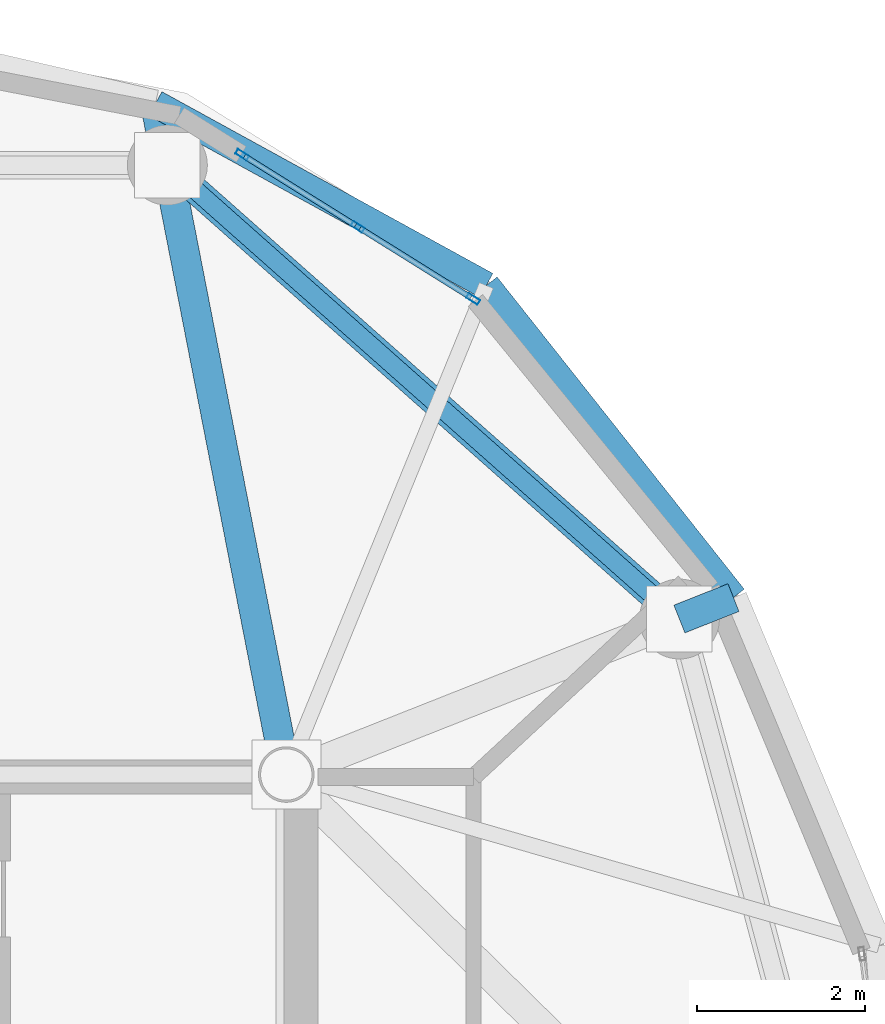
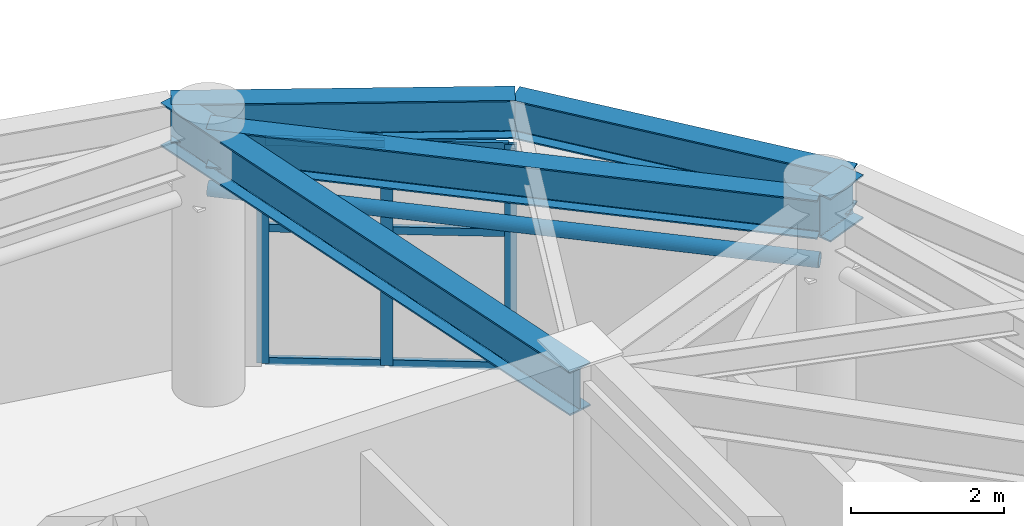
# One storey, part 11 of 26: 10 members, 5 beams, 1 element without a shape of its own.
"""IFC4 building model written with IfcOpenShell, lengths in metres."""

import ifcopenshell
import ifcopenshell.guid

model = None  # the IFC model being written
_history = None  # IfcOwnerHistory: only IFC2X3 demands one
_inside = {}  # id of a spatial element -> (the spatial element, [elements in it])
_under = {}  # id of a project, library or spatial element -> (it, [spatial elements below it])
_declared = {}  # id of a project -> (the project, [libraries it declares])
_typed = {}  # id of a type object -> (the type object, [elements of that type])
_made_of = {}  # id of a material, layer set ... -> (it, [elements and type objects made of it])


def new_model(schema):
    """Start an empty IFC model of exactly this schema.

    Asked for "IFC4X3", IfcOpenShell would pick the latest addendum, in which some entities
    have other attributes; the version numbers below select the first issue.
    IFC2X3 requires an IfcOwnerHistory on every rooted entity: one is made here for all.
    """
    global model, _history
    if schema == "IFC4X3":
        model = ifcopenshell.file(schema_version=(4, 3, 0, 0))
    else:
        model = ifcopenshell.file(schema=schema)
    _inside.clear()
    _under.clear()
    _declared.clear()
    _typed.clear()
    _made_of.clear()
    _history = None
    if model.schema == "IFC2X3":
        org = make("IfcOrganization", Name="unknown")
        user = make(
            "IfcPersonAndOrganization",
            ThePerson=make("IfcPerson", FamilyName="unknown"),
            TheOrganization=org,
        )
        app = make(
            "IfcApplication",
            ApplicationDeveloper=org,
            Version="unknown",
            ApplicationFullName="unknown",
            ApplicationIdentifier="unknown",
        )
        _history = make(
            "IfcOwnerHistory",
            OwningUser=user,
            OwningApplication=app,
            ChangeAction="ADDED",
            CreationDate=0,
        )
    return model


def make(cls, **values):
    """One entity of the class cls with the attributes given. An attribute that is None is left unset."""
    return model.create_entity(
        cls, **{name: value for name, value in values.items() if value is not None}
    )


def rooted(cls, **values):
    """An entity with a GlobalId (a new one), such as an element, a storey or a relation."""
    return make(cls, GlobalId=ifcopenshell.guid.new(), OwnerHistory=_history, **values)


def si_unit(unit_type, name, prefix=None):
    """IfcSIUnit, for example si_unit("LENGTHUNIT", "METRE", prefix="MILLI")."""
    return make("IfcSIUnit", UnitType=unit_type, Prefix=prefix, Name=name)


def assignment(units):
    """IfcUnitAssignment: the units of a project."""
    return None if units is None else make("IfcUnitAssignment", Units=units)


def point(xyz):
    """IfcCartesianPoint."""
    return None if xyz is None else make("IfcCartesianPoint", Coordinates=xyz)


def direction(xyz):
    """IfcDirection."""
    return None if xyz is None else make("IfcDirection", DirectionRatios=xyz)


def frame(location, z_axis=None, x_axis=None):
    """IfcAxis2Placement3D, a coordinate frame: its origin and axes. An axis left out is left unset."""
    return make(
        "IfcAxis2Placement3D",
        Location=point(location),
        Axis=direction(z_axis),
        RefDirection=direction(x_axis),
    )


def frame_2d(location, x_axis=None):
    """IfcAxis2Placement2D, a coordinate frame in the plane: its origin and x axis."""
    return make(
        "IfcAxis2Placement2D", Location=point(location), RefDirection=direction(x_axis)
    )


def origin():
    """The frame at (0, 0, 0) with its axes left unset."""
    return frame((0.0, 0.0, 0.0))


def origin_2d():
    """The frame at (0, 0) in the plane with its x axis left unset."""
    return frame_2d((0.0, 0.0))


def place(relative_to, where):
    """IfcLocalPlacement: puts the frame where relative to a parent placement (None: the world)."""
    return make(
        "IfcLocalPlacement", PlacementRelTo=relative_to, RelativePlacement=where
    )


def context(
    kind, dimensions, precision=None, world=None, true_north=None, identifier=None
):
    """IfcGeometricRepresentationContext, for example the 3D "Model" context."""
    return make(
        "IfcGeometricRepresentationContext",
        ContextIdentifier=identifier,
        ContextType=kind,
        CoordinateSpaceDimension=dimensions,
        Precision=precision,
        WorldCoordinateSystem=world,
        TrueNorth=true_north,
    )


def subcontext(parent, identifier, kind, view, scale=None):
    """IfcGeometricRepresentationSubContext, for example "Body" below "Model"."""
    return make(
        "IfcGeometricRepresentationSubContext",
        ContextIdentifier=identifier,
        ContextType=kind,
        ParentContext=parent,
        TargetScale=scale,
        TargetView=view,
    )


def project(units=None, contexts=None):
    """IfcProject with its units and contexts."""
    return rooted(
        "IfcProject",
        Name="project",
        RepresentationContexts=contexts,
        UnitsInContext=assignment(units),
    )


def spatial(cls, under=None, at=None, **own):
    """A site, building, storey or space (cls), placed at a placement, below another one or the project."""
    s = rooted(cls, ObjectPlacement=at, **own)
    if under is not None:
        _under.setdefault(under.id(), (under, []))[1].append(s)
    return s


def profile(cls, at=None, kind="AREA", **sizes):
    """A parametric profile (cls). Its sizes go by their IFC names, for example OverallWidth=200.0."""
    return make(cls, ProfileType=kind, Position=at, **sizes)


def hollow_rectangle(**sizes):
    """IfcRectangleHollowProfileDef."""
    return profile("IfcRectangleHollowProfileDef", **sizes)


def hollow_circle(**sizes):
    """IfcCircleHollowProfileDef."""
    return profile("IfcCircleHollowProfileDef", **sizes)


def i_section(**sizes):
    """IfcIShapeProfileDef."""
    return profile("IfcIShapeProfileDef", **sizes)


def extrude(swept, where, along, depth):
    """IfcExtrudedAreaSolid: the profile swept, set in the frame where, extruded along a direction by depth."""
    return make(
        "IfcExtrudedAreaSolid",
        SweptArea=swept,
        Position=where,
        ExtrudedDirection=direction(along),
        Depth=depth,
    )


def shape(context_of_items, identifier, shape_type, items):
    """IfcShapeRepresentation: the items that make up one representation, for example the "Body"."""
    return make(
        "IfcShapeRepresentation",
        ContextOfItems=context_of_items,
        RepresentationIdentifier=identifier,
        RepresentationType=shape_type,
        Items=items,
    )


def material(Name=None, Category=None):
    """IfcMaterial."""
    return make("IfcMaterial", Name=Name, Category=Category)


def layer(
    of_material, thickness, ventilated=None, Name=None, Category=None, Priority=None
):
    """IfcMaterialLayer: one layer of a wall or slab, of a material (None: an air gap)."""
    return make(
        "IfcMaterialLayer",
        Material=of_material,
        LayerThickness=thickness,
        IsVentilated=ventilated,
        Name=Name,
        Category=Category,
        Priority=Priority,
    )


def layer_set(layers, Name=None):
    """IfcMaterialLayerSet."""
    return make("IfcMaterialLayerSet", MaterialLayers=layers, LayerSetName=Name)


def material_profile(
    of_material, cross_section, Name=None, Category=None, Priority=None
):
    """IfcMaterialProfile: a cross section and its material."""
    return make(
        "IfcMaterialProfile",
        Name=Name,
        Material=of_material,
        Profile=cross_section,
        Priority=Priority,
        Category=Category,
    )


def profile_set(profiles, Name=None, composite=None):
    """IfcMaterialProfileSet."""
    return make(
        "IfcMaterialProfileSet",
        Name=Name,
        MaterialProfiles=profiles,
        CompositeProfile=composite,
    )


def made_of(thing, what):
    """Note that an element or type object is made of a material, layer set ...; save() writes the relation."""
    if what is not None:
        _made_of.setdefault(what.id(), (what, []))[1].append(thing)
    return thing


def type_object(cls, material=None, **own):
    """A type object (cls), such as IfcWallType, which elements share."""
    return made_of(rooted(cls, **own), material)


def element(
    cls,
    number,
    at=None,
    inside=None,
    cuts=None,
    type_object=None,
    material=None,
    context=None,
    identifier="Body",
    shape_type=None,
    held_by="IfcProductDefinitionShape",
    body=None,
    shapes=None,
    **own,
):
    """One element of the class cls, such as IfcWall. Its Tag is "e" and its number.

    at: its placement. inside: the storey or other place that contains it. cuts: it is an
    opening in that element (IfcRelVoidsElement). A single representation is given by context,
    identifier, shape_type and body (its items); several are given by shapes. held_by: the class
    of the entity that holds the representations. save() writes the other relations.
    """
    e = rooted(cls, Tag="e%d" % number, ObjectPlacement=at, **own)
    if body is not None:
        shapes = [shape(context, identifier, shape_type, body)]
    if shapes is not None:
        e.Representation = make(held_by, Representations=shapes)
    if inside is not None:
        _inside.setdefault(inside.id(), (inside, []))[1].append(e)
    if cuts is not None:
        rooted(
            "IfcRelVoidsElement", RelatingBuildingElement=cuts, RelatedOpeningElement=e
        )
    if type_object is not None:
        _typed.setdefault(type_object.id(), (type_object, []))[1].append(e)
    return made_of(e, material)


def aggregate(whole, parts):
    """IfcRelAggregates: a whole, such as a stair, and the parts it consists of."""
    return rooted("IfcRelAggregates", RelatingObject=whole, RelatedObjects=parts)


def save(model, path):
    """Write the relations noted so far, then the file.

    IfcRelAggregates (storeys below a building ...), IfcRelContainedInSpatialStructure (elements
    in a storey), IfcRelDefinesByType, IfcRelAssociatesMaterial and IfcRelDeclares: one each for
    every whole, place, type object, material and project.
    """
    for whole, parts in _under.values():
        aggregate(whole, parts)
    for where, things in _inside.values():
        rooted(
            "IfcRelContainedInSpatialStructure",
            RelatedElements=things,
            RelatingStructure=where,
        )
    for kind, things in _typed.values():
        rooted("IfcRelDefinesByType", RelatedObjects=things, RelatingType=kind)
    for what, things in _made_of.values():
        rooted("IfcRelAssociatesMaterial", RelatedObjects=things, RelatingMaterial=what)
    for by, libraries in _declared.values():
        rooted("IfcRelDeclares", RelatingContext=by, RelatedDefinitions=libraries)
    model.write(path)


model = new_model("IFC4")

# Units and contexts
model_context = context("Model", 3, precision=1e-05, world=origin(), true_north=direction((0.0, 1.0)))
body_context = subcontext(model_context, "Body", "Model", "MODEL_VIEW")
ifc_project = project(units=[si_unit("LENGTHUNIT", "METRE"), si_unit("AREAUNIT", "SQUARE_METRE"), si_unit("VOLUMEUNIT", "CUBIC_METRE"), si_unit("PLANEANGLEUNIT", "RADIAN"), si_unit("MASSUNIT", "GRAM", prefix="KILO")], contexts=[model_context])

# Site, building, storey
site_placement = place(None, origin())
site = spatial("IfcSite", under=ifc_project, at=site_placement, CompositionType="ELEMENT")
building_placement = place(site_placement, origin())
building = spatial("IfcBuilding", under=site, at=building_placement, Name="Cununo Teusaquillo Station Towers", CompositionType="ELEMENT")
storey_placement = place(building_placement, frame((0.0, 0.0, 240.330078125)))
storey = spatial("IfcBuildingStorey", under=building, at=storey_placement, Name="L76", CompositionType="ELEMENT", Elevation=240.330078125)

# Beams
ifc_material_1 = material(Name="Steel ASTM A572 Grade 50", Category="steel")
ifc_material_profile_1 = material_profile(ifc_material_1, i_section(OverallWidth=0.35498046875, OverallDepth=0.696044921875, WebThickness=0.015380859375, FlangeThickness=0.02490234375, FilletRadius=0.01806640625, at=origin_2d()), Name="W27X146")
ifc_profile_set_1 = profile_set([ifc_material_profile_1], Name="Steel ASTM A572 Grade 50")
beam_type_1 = type_object("IfcBeamType", Name="BM-PLNT-G1", PredefinedType="BEAM", material=ifc_profile_set_1)
beam_1_placement = place(storey_placement, frame((26.347412109375, 33.228515625, 3.851806640625), z_axis=(0.929761307449, 0.368162886738, 0.0), x_axis=(-0.368162886738, 0.929761307449, 0.0)))
element("IfcBeam", 1, at=beam_1_placement, inside=storey, type_object=beam_type_1, Name="L76 Tower A Perimeter Overhang Girder 02B", PredefinedType="BEAM", context=body_context, shape_type="SweptSolid", body=[
    extrude(i_section(OverallWidth=0.35498046875, OverallDepth=0.696044921875, WebThickness=0.015380859375, FlangeThickness=0.02490234375, FilletRadius=0.01806640625, at=origin_2d()), origin(), (0.0, 0.0, 1.0), 0.691650390625),
])
beam_2_placement = place(storey_placement, frame((21.675048828125, 31.3798828125, 3.851806640625), z_axis=(-0.191548487699, 0.981483151593, 0.0), x_axis=(-0.981483151593, -0.191548487699, 0.0)))
element("IfcBeam", 2, at=beam_2_placement, inside=storey, type_object=beam_type_1, Name="L76 Tower A Continuous Overhanging Radial Girder 03", PredefinedType="BEAM", context=body_context, shape_type="SweptSolid", body=[
    extrude(i_section(OverallWidth=0.35498046875, OverallDepth=0.696044921875, WebThickness=0.015380859375, FlangeThickness=0.02490234375, FilletRadius=0.01806640625, at=origin_2d()), origin(), (0.0, 0.0, 1.0), 8.1240234375),
])
ifc_material_2 = material(Name="Steel ASTM A572 Grade 50", Category="steel")
ifc_material_profile_2 = material_profile(ifc_material_2, i_section(OverallWidth=0.324951171875, OverallDepth=0.615966796875, WebThickness=0.013916015625, FlangeThickness=0.021484375, FilletRadius=0.01611328125, at=origin_2d()), Name="W24X117")
ifc_profile_set_2 = profile_set([ifc_material_profile_2], Name="Steel ASTM A572 Grade 50")
beam_type_2 = type_object("IfcBeamType", Name="BM-PLNT-G2", PredefinedType="BEAM", material=ifc_profile_set_2)
beam_3_placement = place(storey_placement, frame((26.347412109375, 33.228515625, 3.891845703125), z_axis=(-0.74832120039, 0.66333655187, 0.0), x_axis=(-0.66333655187, -0.74832120039, 0.0)))
element("IfcBeam", 3, at=beam_3_placement, inside=storey, type_object=beam_type_2, Name="L76 Tower A Structural Column Ring Girder 02", PredefinedType="BEAM", context=body_context, shape_type="SweptSolid", body=[
    extrude(i_section(OverallWidth=0.324951171875, OverallDepth=0.615966796875, WebThickness=0.013916015625, FlangeThickness=0.021484375, FilletRadius=0.01611328125, at=origin_2d()), origin(), (0.0, 0.0, 1.0), 8.1328125),
])
beam_4_placement = place(storey_placement, frame((26.990478515625, 33.483154296875, 3.891845703125), z_axis=(-0.620710872531, 0.784039547932, 0.0), x_axis=(-0.784039547932, -0.620710872531, 0.0)))
element("IfcBeam", 4, at=beam_4_placement, inside=storey, type_object=beam_type_2, Name="L76 Tower A Spandrel Ring Beam 03", PredefinedType="BEAM", context=body_context, shape_type="SweptSolid", body=[
    extrude(i_section(OverallWidth=0.324951171875, OverallDepth=0.615966796875, WebThickness=0.013916015625, FlangeThickness=0.021484375, FilletRadius=0.01611328125, at=origin_2d()), origin(), (0.0, 0.0, 1.0), 4.732421875),
])
beam_5_placement = place(storey_placement, frame((24.052978515625, 37.193603515625, 3.891845703125), z_axis=(-0.876576300909, 0.481262910149, 0.0), x_axis=(-0.481262910149, -0.876576300909, 0.0)))
element("IfcBeam", 5, at=beam_5_placement, inside=storey, type_object=beam_type_2, Name="L76 Tower A Spandrel Ring Beam 04", PredefinedType="BEAM", context=body_context, shape_type="SweptSolid", body=[
    extrude(i_section(OverallWidth=0.324951171875, OverallDepth=0.615966796875, WebThickness=0.013916015625, FlangeThickness=0.021484375, FilletRadius=0.01611328125, at=origin_2d()), origin(), (0.0, 0.0, 1.0), 4.488037109375),
])

# Curtain wall, members
ifc_material_3 = material(Name="Ceramic-fritted dark low-E double glazing", Category="glass")
ifc_layer = layer(ifc_material_3, 0.179931640625)
ifc_layer_set = layer_set([ifc_layer], Name="Ceramic-fritted dark low-E double glazing")
curtain_wall_type = type_object("IfcCurtainWallType", Name="CW-SYS-08", PredefinedType="USERDEFINED", material=ifc_layer_set)
curtain_wall_placement = place(storey_placement, origin())
curtain_wall = element("IfcCurtainWall", 6, at=curtain_wall_placement, inside=storey, type_object=curtain_wall_type, Name="L76 Tower A Crown Drum Glazed Screen C03", ObjectType="FRITTED GLAZING", PredefinedType="USERDEFINED")
ifc_material_4 = material(Name="Anodised dark bronze aluminium EN AW-6063-T6", Category="aluminium")
ifc_material_profile_3 = material_profile(ifc_material_4, hollow_rectangle(XDim=0.06494140625, YDim=0.159912109375, WallThickness=0.00390625, at=origin_2d()), Name="CW-MULL-65x160")
ifc_profile_set_3 = profile_set([ifc_material_profile_3], Name="Anodised dark bronze aluminium EN AW-6063-T6")
member_type_1 = type_object("IfcMemberType", Name="CWM-160", PredefinedType="MULLION", material=ifc_profile_set_3)
member_1_placement = place(storey_placement, frame((21.151611328125, 38.74560546875, 0.0), z_axis=(0.0, 0.0, 1.0), x_axis=(0.529451366729, 0.848340291551, 0.0)))
member_1 = element("IfcMember", 7, at=member_1_placement, type_object=member_type_1, Name="CW-08 mullion 1", PredefinedType="MULLION", context=body_context, shape_type="SweptSolid", body=[
    extrude(hollow_rectangle(XDim=0.06494140625, YDim=0.159912109375, WallThickness=0.00390625, at=origin_2d()), origin(), (0.0, 0.0, 1.0), 3.555908203125),
])
member_2_placement = place(storey_placement, frame((22.52392578125, 37.88916015625, 0.0), z_axis=(0.0, 0.0, 1.0), x_axis=(0.529451366729, 0.848340291551, 0.0)))
member_2 = element("IfcMember", 8, at=member_2_placement, type_object=member_type_1, Name="CW-08 mullion 2", PredefinedType="MULLION", context=body_context, shape_type="SweptSolid", body=[
    extrude(hollow_rectangle(XDim=0.06494140625, YDim=0.159912109375, WallThickness=0.00390625, at=origin_2d()), origin(), (0.0, 0.0, 1.0), 3.555908203125),
])
member_3_placement = place(storey_placement, frame((23.896240234375, 37.03271484375, 0.0), z_axis=(0.0, 0.0, 1.0), x_axis=(0.529451366729, 0.848340291551, 0.0)))
member_3 = element("IfcMember", 9, at=member_3_placement, type_object=member_type_1, Name="CW-08 mullion 3", PredefinedType="MULLION", context=body_context, shape_type="SweptSolid", body=[
    extrude(hollow_rectangle(XDim=0.06494140625, YDim=0.159912109375, WallThickness=0.00390625, at=origin_2d()), origin(), (0.0, 0.0, 1.0), 3.555908203125),
])
ifc_material_5 = material(Name="Anodised dark bronze aluminium EN AW-6063-T6", Category="aluminium")
ifc_material_profile_4 = material_profile(ifc_material_5, hollow_rectangle(XDim=0.06494140625, YDim=0.1201171875, WallThickness=0.00390625, at=origin_2d()), Name="CW-TRAN-65x120")
ifc_profile_set_4 = profile_set([ifc_material_profile_4], Name="Anodised dark bronze aluminium EN AW-6063-T6")
member_type_2 = type_object("IfcMemberType", Name="CWT-120", PredefinedType="USERDEFINED", material=ifc_profile_set_4)
member_4_placement = place(storey_placement, frame((21.17919921875, 38.728271484375, 0.032470703125), z_axis=(0.848342652785, -0.529447583304, 0.0), x_axis=(0.529447583304, 0.848342652785, 0.0)))
member_4 = element("IfcMember", 10, at=member_4_placement, type_object=member_type_2, Name="CW-08 transom 1.1", ObjectType="TRANSOM", PredefinedType="USERDEFINED", context=body_context, shape_type="SweptSolid", body=[
    extrude(hollow_rectangle(XDim=0.06494140625, YDim=0.1201171875, WallThickness=0.00390625, at=origin_2d()), origin(), (0.0, 0.0, 1.0), 1.552490234375),
])
member_5_placement = place(storey_placement, frame((21.17919921875, 38.728271484375, 2.14990234375), z_axis=(0.848342652785, -0.529447583304, 0.0), x_axis=(0.529447583304, 0.848342652785, 0.0)))
member_5 = element("IfcMember", 11, at=member_5_placement, type_object=member_type_2, Name="CW-08 transom 1.2", ObjectType="TRANSOM", PredefinedType="USERDEFINED", context=body_context, shape_type="SweptSolid", body=[
    extrude(hollow_rectangle(XDim=0.06494140625, YDim=0.1201171875, WallThickness=0.00390625, at=origin_2d()), origin(), (0.0, 0.0, 1.0), 1.552490234375),
])
member_6_placement = place(storey_placement, frame((21.17919921875, 38.728271484375, 3.5234375), z_axis=(0.848342652785, -0.529447583304, 0.0), x_axis=(0.529447583304, 0.848342652785, 0.0)))
member_6 = element("IfcMember", 12, at=member_6_placement, type_object=member_type_2, Name="CW-08 transom 1.3", ObjectType="TRANSOM", PredefinedType="USERDEFINED", context=body_context, shape_type="SweptSolid", body=[
    extrude(hollow_rectangle(XDim=0.06494140625, YDim=0.1201171875, WallThickness=0.00390625, at=origin_2d()), origin(), (0.0, 0.0, 1.0), 1.552490234375),
])
member_7_placement = place(storey_placement, frame((22.551513671875, 37.871826171875, 0.032470703125), z_axis=(0.848342652785, -0.529447583304, 0.0), x_axis=(0.529447583304, 0.848342652785, 0.0)))
member_7 = element("IfcMember", 13, at=member_7_placement, type_object=member_type_2, Name="CW-08 transom 2.1", ObjectType="TRANSOM", PredefinedType="USERDEFINED", context=body_context, shape_type="SweptSolid", body=[
    extrude(hollow_rectangle(XDim=0.06494140625, YDim=0.1201171875, WallThickness=0.00390625, at=origin_2d()), origin(), (0.0, 0.0, 1.0), 1.552490234375),
])
member_8_placement = place(storey_placement, frame((22.551513671875, 37.871826171875, 2.14990234375), z_axis=(0.848342652785, -0.529447583304, 0.0), x_axis=(0.529447583304, 0.848342652785, 0.0)))
member_8 = element("IfcMember", 14, at=member_8_placement, type_object=member_type_2, Name="CW-08 transom 2.2", ObjectType="TRANSOM", PredefinedType="USERDEFINED", context=body_context, shape_type="SweptSolid", body=[
    extrude(hollow_rectangle(XDim=0.06494140625, YDim=0.1201171875, WallThickness=0.00390625, at=origin_2d()), origin(), (0.0, 0.0, 1.0), 1.552490234375),
])
member_9_placement = place(storey_placement, frame((22.551513671875, 37.871826171875, 3.5234375), z_axis=(0.848342652785, -0.529447583304, 0.0), x_axis=(0.529447583304, 0.848342652785, 0.0)))
member_9 = element("IfcMember", 15, at=member_9_placement, type_object=member_type_2, Name="CW-08 transom 2.3", ObjectType="TRANSOM", PredefinedType="USERDEFINED", context=body_context, shape_type="SweptSolid", body=[
    extrude(hollow_rectangle(XDim=0.06494140625, YDim=0.1201171875, WallThickness=0.00390625, at=origin_2d()), origin(), (0.0, 0.0, 1.0), 1.552490234375),
])
aggregate(curtain_wall, [member_1, member_2, member_3, member_4, member_5, member_6, member_7, member_8, member_9])

# Member
ifc_material_6 = material(Name="Steel EN 10025-2 S355J2", Category="steel")
ifc_material_profile_5 = material_profile(ifc_material_6, hollow_circle(Radius=0.109619140625, WallThickness=0.010009765625, at=origin_2d()), Name="CHS 219x10")
ifc_profile_set_5 = profile_set([ifc_material_profile_5], Name="Steel EN 10025-2 S355J2")
member_type_3 = type_object("IfcMemberType", Name="MBR-DRUM-COL", PredefinedType="COLLAR", material=ifc_profile_set_5)
member_10_placement = place(storey_placement, frame((26.347412109375, 33.228515625, 3.14990234375), z_axis=(-0.74832120039, 0.66333655187, 0.0), x_axis=(-0.66333655187, -0.74832120039, 0.0)))
element("IfcMember", 16, at=member_10_placement, inside=storey, type_object=member_type_3, Name="L76 Tower A Crown Drum Collar 02", PredefinedType="COLLAR", context=body_context, shape_type="SweptSolid", body=[
    extrude(hollow_circle(Radius=0.109619140625, WallThickness=0.010009765625, at=origin_2d()), origin(), (0.0, 0.0, 1.0), 8.1328125),
])

save(model, "model.ifc")
